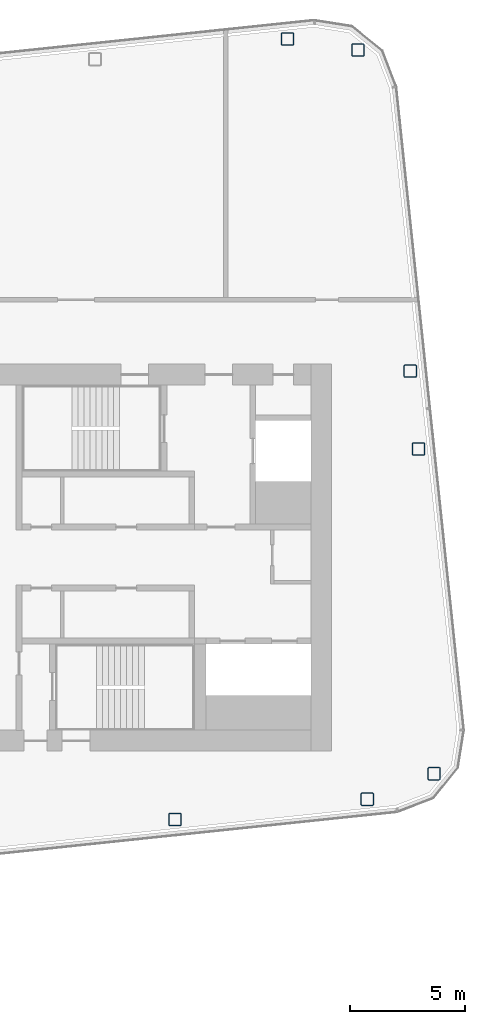
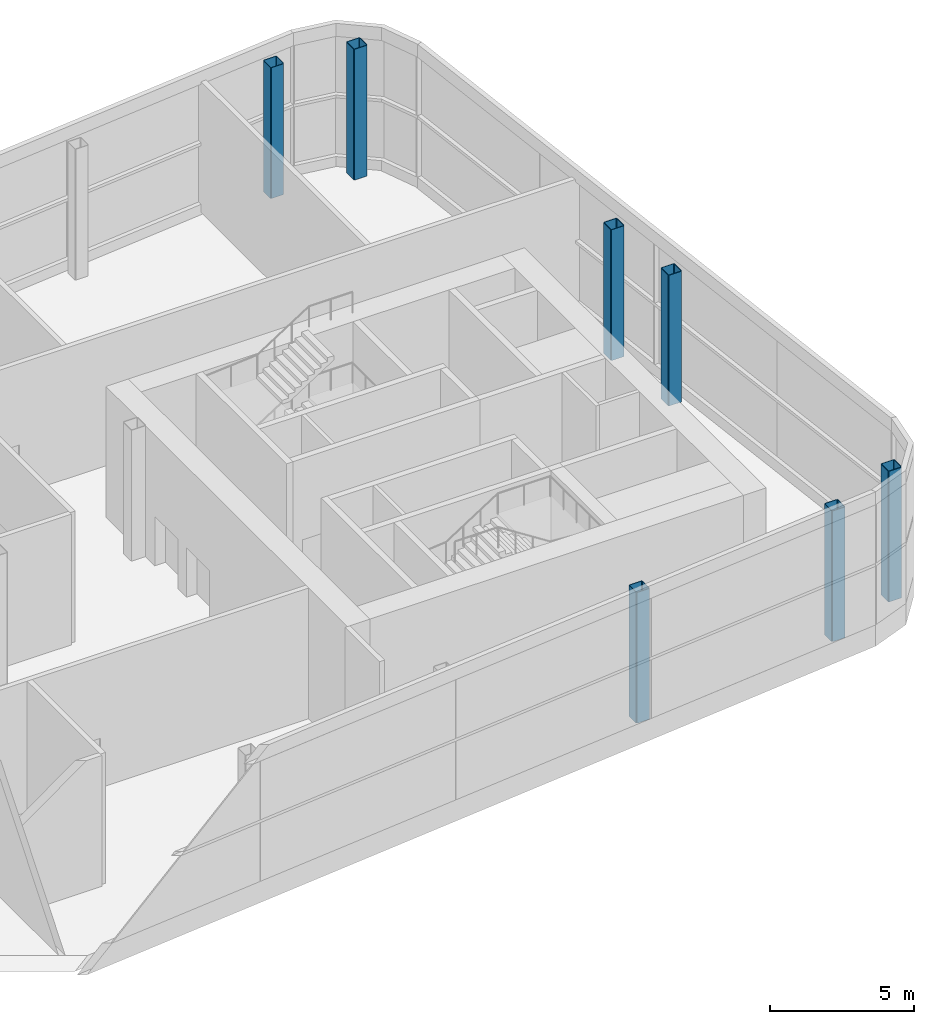
# One storey, part 2 of 35: 7 columns.
"""IFC4 building model written with IfcOpenShell, lengths in metres."""

from ifc_helpers import new_model, si_unit, direction, frame, origin, origin_2d, place, context, subcontext, project, spatial, hollow_rectangle, extrude, material, material_profile, profile_set, type_object, element, save


model = new_model("IFC4")

# Units and contexts
model_context = context("Model", 3, precision=1e-05, world=origin(), true_north=direction((0.0, 1.0)))
body_context = subcontext(model_context, "Body", "Model", "MODEL_VIEW")
ifc_project = project(units=[si_unit("LENGTHUNIT", "METRE"), si_unit("AREAUNIT", "SQUARE_METRE"), si_unit("VOLUMEUNIT", "CUBIC_METRE"), si_unit("PLANEANGLEUNIT", "RADIAN"), si_unit("MASSUNIT", "GRAM", prefix="KILO")], contexts=[model_context])

# Site, building, storey
site_placement = place(None, origin())
site = spatial("IfcSite", under=ifc_project, at=site_placement, CompositionType="ELEMENT")
building_placement = place(site_placement, origin())
building = spatial("IfcBuilding", under=site, at=building_placement, Name="Hakoniwa Tower and Hamabe Station Hall", CompositionType="ELEMENT")
storey_placement = place(building_placement, frame((0.0, 0.0, 270.60009765625)))
storey = spatial("IfcBuildingStorey", under=building, at=storey_placement, Name="L76", CompositionType="ELEMENT", Elevation=270.60009765625)

# Columns
ifc_material = material(Name="Steel BCP325", Category="steel")
ifc_material_profile = material_profile(ifc_material, hollow_rectangle(XDim=0.550048828125, YDim=0.550048828125, WallThickness=0.02197265625, InnerFilletRadius=0.032958984375, OuterFilletRadius=0.054931640625, at=origin_2d()), Name="BCP-550x550x22")
ifc_profile_set = profile_set([ifc_material_profile], Name="Steel BCP325")
column_type = type_object("IfcColumnType", Name="COLUMN BCP-550x550x22", PredefinedType="COLUMN", material=ifc_profile_set)
for number, where, z_axis, x_axis, name in (
    (1, (26.797119140625, -11.375, 0.0), (0.0, 0.0, 1.0), (1.0, 0.0, 0.0), "Column B5-10-A5"),
    (2, (35.151123046875, -10.496826171875, 0.0), (0.0, 0.0, 1.0), (1.0, 0.0, 0.0), "Column B5-11-A5"),
    (3, (31.680908203125, 22.521240234375, 0.0), (0.0, 0.0, 1.0), (1.0, 0.0, 0.0), "Column B5-11-F5"),
    (4, (38.054443359375, -9.390380859375, 0.0), (0.0, 0.0, 1.0), (1.0, 0.0, 0.0), "Column B5-EE-A5"),
    (5, (37.372802734375, 4.71875, 0.0), (0.0, 0.0, 1.0), (1.0, 0.0, 0.0), "Column B5-EE-C5"),
    (6, (37.017333984375, 8.10009765625, 0.0), (0.0, 0.0, 1.0), (1.0, 0.0, 0.0), "Column B5-EE-D5"),
    (7, (34.750732421875, 22.04248046875, 0.0), (0.0, 0.0, 1.0), (1.0, 0.0, 0.0), "Column B5-EE-F5"),
):
    element("IfcColumn", number, at=place(storey_placement, frame(where, z_axis=z_axis, x_axis=x_axis)), inside=storey, type_object=column_type, Name=name, PredefinedType="COLUMN", context=body_context, shape_type="SweptSolid", body=[
        extrude(hollow_rectangle(XDim=0.550048828125, YDim=0.550048828125, WallThickness=0.02197265625, InnerFilletRadius=0.032958984375, OuterFilletRadius=0.054931640625, at=origin_2d()), origin(), (0.0, 0.0, 1.0), 5.5498046875),
    ])

save(model, "model.ifc")
